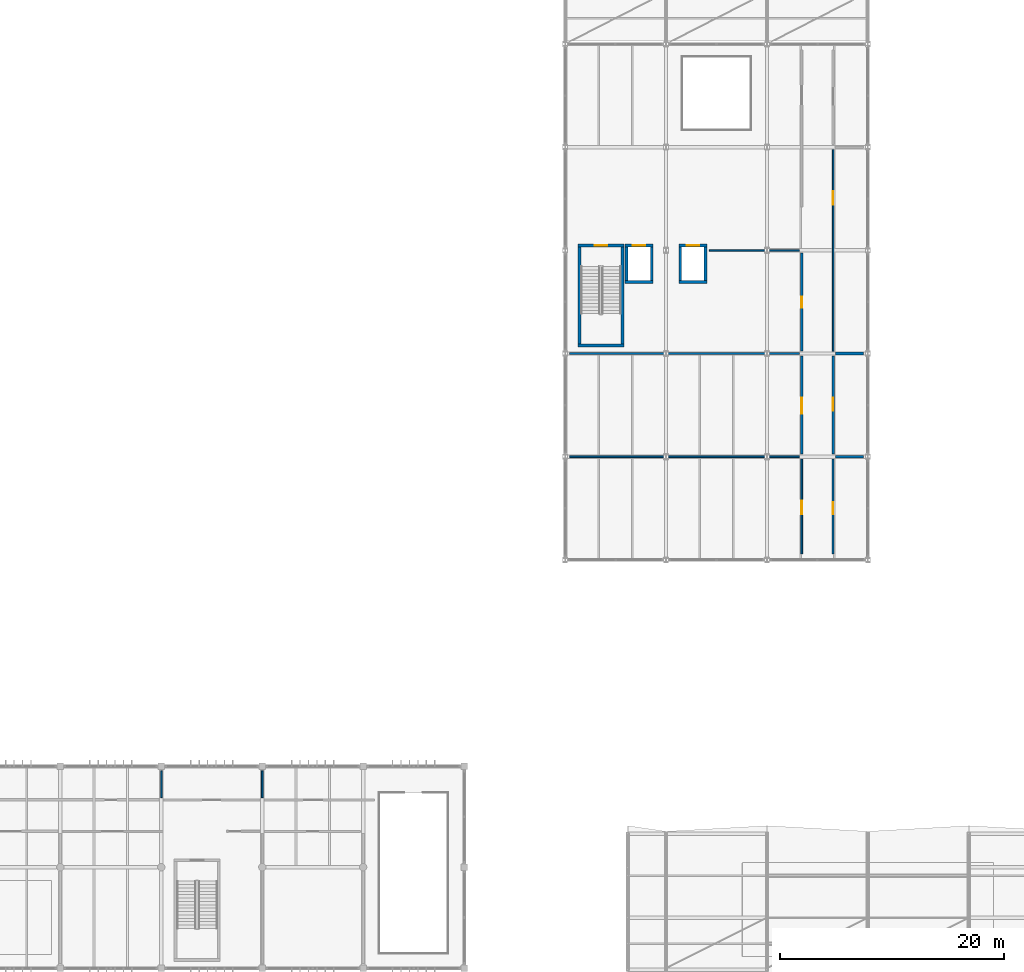
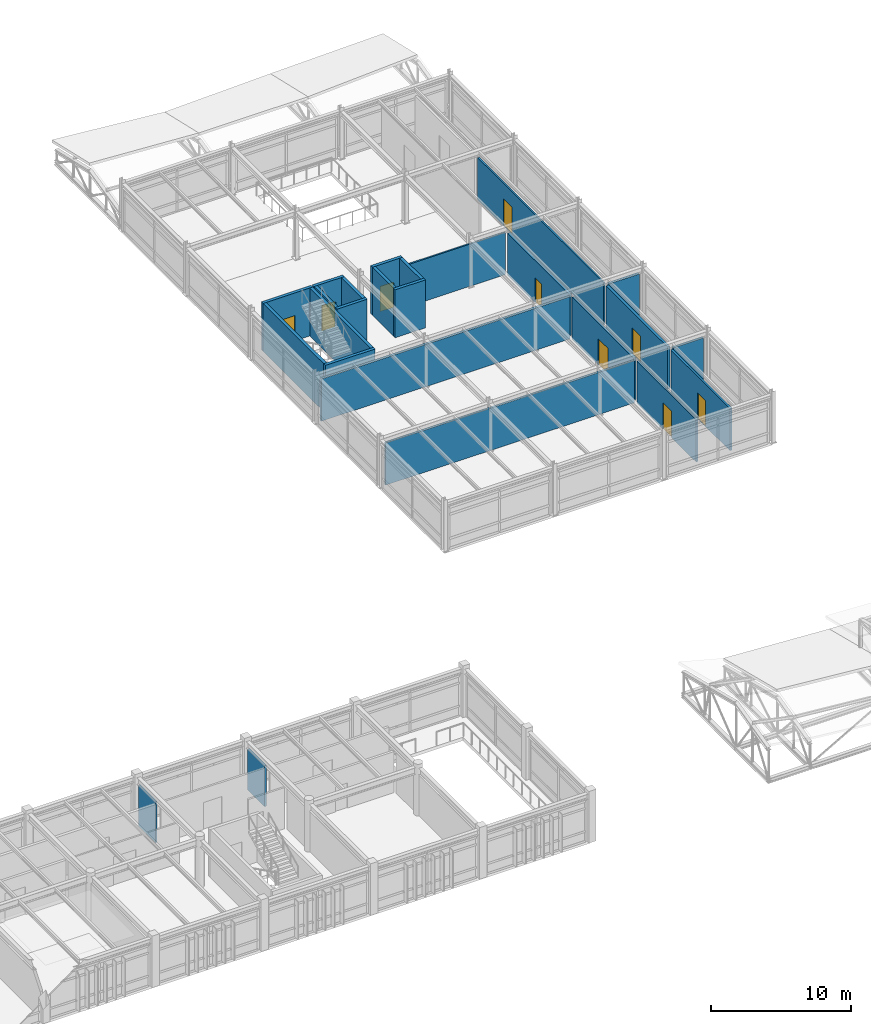
# One storey, part 42 of 55: 25 walls, 9 doors, 9 openings.
"""IFC4 building model written with IfcOpenShell, lengths in metres."""

from ifc_helpers import new_model, si_unit, direction, frame, frame_2d, origin, place, context, subcontext, project, spatial, rectangle, extrude, material, layer, layer_set, type_object, element, fill, save


model = new_model("IFC4")

# Units and contexts
model_context = context("Model", 3, precision=1e-05, world=origin(), true_north=direction((0.0, 1.0)))
body_context = subcontext(model_context, "Body", "Model", "MODEL_VIEW")
ifc_project = project(units=[si_unit("LENGTHUNIT", "METRE"), si_unit("AREAUNIT", "SQUARE_METRE"), si_unit("VOLUMEUNIT", "CUBIC_METRE"), si_unit("PLANEANGLEUNIT", "RADIAN"), si_unit("MASSUNIT", "GRAM", prefix="KILO")], contexts=[model_context])

# Site, building, storey
site_placement = place(None, origin())
site = spatial("IfcSite", under=ifc_project, at=site_placement, CompositionType="ELEMENT")
building_placement = place(site_placement, origin())
building = spatial("IfcBuilding", under=site, at=building_placement, Name="Bozkorgan Art Gallery", CompositionType="ELEMENT")
storey_placement = place(building_placement, frame((0.0, 0.0, 15.0)))
storey = spatial("IfcBuildingStorey", under=building, at=storey_placement, Name="L03", CompositionType="ELEMENT", Elevation=15.0)

# Wall, opening, door
ifc_material_1 = material(Name="Concrete C40/50", Category="concrete")
ifc_layer_1 = layer(ifc_material_1, 0.25, Name="Concrete C40/50")
ifc_layer_set_1 = layer_set([ifc_layer_1], Name="Concrete C40/50")
wall_type_1 = type_object("IfcWallType", Name="IWALL-CW-51", PredefinedType="SHEAR", material=ifc_layer_set_1)
wall_1_placement = place(storey_placement, frame((75.14990234375, 66.425048828125, 0.0), z_axis=(0.0, 0.0, 1.0), x_axis=(1.0, 0.0, 0.0)))
wall_1 = element("IfcWall", 1, at=wall_1_placement, inside=storey, type_object=wall_type_1, Name="CORE2 L03 stair core north shear wall", PredefinedType="SHEAR", context=body_context, shape_type="SweptSolid", body=[
    extrude(rectangle(XDim=4.10009765625, YDim=0.25, at=frame_2d((2.050048828125, 0.0))), origin(), (0.0, 0.0, 1.0), 4.179931640625),
])
opening_1_placement = place(wall_1_placement, frame((2.625, 0.0, 0.0), z_axis=(0.0, 0.0, 1.0), x_axis=(-1.0, 0.0, 0.0)))
opening_1 = element("IfcOpeningElement", 2, at=opening_1_placement, cuts=wall_1, Name="Opening SD-41", PredefinedType="OPENING", context=body_context, shape_type="SweptSolid", body=[
    extrude(rectangle(XDim=1.14990234375, YDim=2.199951171875, at=frame_2d((0.574951171875, 1.10009765625))), frame((0.0, 0.135009765625, 0.0), z_axis=(0.0, -1.0, 0.0), x_axis=(1.0, 0.0, 0.0)), (0.0, 0.0, 1.0), 0.27001953125),
])
ifc_material_2 = material(Name="Steel S355J2", Category="steel")
door_type_1 = type_object("IfcDoorType", Name="IDOOR-SD-41", OperationType="NOTDEFINED", PredefinedType="DOOR", material=ifc_material_2)
door_1_placement = place(opening_1_placement, origin())
door_1 = element("IfcDoor", 3, at=door_1_placement, inside=storey, type_object=door_type_1, Name="ST2 L03 Fire Stair Door", OperationType="SINGLE_SWING_LEFT", OverallHeight=2.199951171875, OverallWidth=1.14990234375, PredefinedType="DOOR", context=body_context, shape_type="SweptSolid", body=[
    extrude(rectangle(XDim=1.14990234375, YDim=2.199951171875, at=frame_2d((0.574951171875, 1.10009765625))), frame((0.0, 0.02490234375, 0.0), z_axis=(0.0, -1.0, 0.0), x_axis=(1.0, 0.0, 0.0)), (0.0, 0.0, 1.0), 0.050048828125),
])
fill(opening_1, door_1)

# Walls
wall_2_placement = place(storey_placement, frame((75.14990234375, 57.52490234375, 0.0), z_axis=(0.0, 0.0, 1.0), x_axis=(1.0, 0.0, 0.0)))
element("IfcWall", 4, at=wall_2_placement, inside=storey, type_object=wall_type_1, Name="CORE2 L03 stair core S shear wall", PredefinedType="SHEAR", context=body_context, shape_type="SweptSolid", body=[
    extrude(rectangle(XDim=4.10009765625, YDim=0.25, at=frame_2d((2.050048828125, 0.0))), origin(), (0.0, 0.0, 1.0), 4.179931640625),
])
for number, where, z_axis, x_axis, name in (
    (5, (75.27490234375, 57.64990234375, 0.0), (0.0, 0.0, 1.0), (0.0, 1.0, 0.0), "CORE2 L03 stair core W shear wall"),
    (6, (79.125, 57.64990234375, 0.0), (0.0, 0.0, 1.0), (0.0, 1.0, 0.0), "CORE2 L03 stair core E shear wall"),
):
    element("IfcWall", number, at=place(storey_placement, frame(where, z_axis=z_axis, x_axis=x_axis)), inside=storey, type_object=wall_type_1, Name=name, PredefinedType="SHEAR", context=body_context, shape_type="SweptSolid", body=[
        extrude(rectangle(XDim=8.650146484375, YDim=0.25, at=frame_2d((4.3251953125, 0.0))), origin(), (0.0, 0.0, 1.0), 4.179931640625),
    ])

# Wall, opening, door
wall_3_placement = place(storey_placement, frame((79.35009765625, 66.425048828125, 0.0), z_axis=(0.0, 0.0, 1.0), x_axis=(1.0, 0.0, 0.0)))
wall_3 = element("IfcWall", 7, at=wall_3_placement, inside=storey, type_object=wall_type_1, Name="PL2 L03 shaft front shear wall", PredefinedType="SHEAR", context=body_context, shape_type="SweptSolid", body=[
    extrude(rectangle(XDim=2.5, YDim=0.25, at=frame_2d((1.25, 0.0))), origin(), (0.0, 0.0, 1.0), 4.179931640625),
])
opening_2_placement = place(wall_3_placement, frame((0.699951171875, 0.0, 0.0)))
opening_2 = element("IfcOpeningElement", 8, at=opening_2_placement, cuts=wall_3, Name="Opening LD-25", PredefinedType="OPENING", context=body_context, shape_type="SweptSolid", body=[
    extrude(rectangle(XDim=1.10009765625, YDim=2.199951171875, at=frame_2d((0.550048828125, 1.10009765625))), frame((0.0, 0.135009765625, 0.0), z_axis=(0.0, -1.0, 0.0), x_axis=(1.0, 0.0, 0.0)), (0.0, 0.0, 1.0), 0.27001953125),
])
door_type_2 = type_object("IfcDoorType", Name="IDOOR-LD-25", OperationType="NOTDEFINED", PredefinedType="DOOR", material=ifc_material_2)
door_2_placement = place(opening_2_placement, origin())
door_2 = element("IfcDoor", 9, at=door_2_placement, inside=storey, type_object=door_type_2, Name="LD-PL2-L03 Lift Landing Door", OperationType="SLIDING_TO_LEFT", OverallHeight=2.199951171875, OverallWidth=1.10009765625, PredefinedType="DOOR", context=body_context, shape_type="SweptSolid", body=[
    extrude(rectangle(XDim=1.10009765625, YDim=2.199951171875, at=frame_2d((0.550048828125, 1.10009765625))), frame((0.0, 0.02490234375, 0.0), z_axis=(0.0, -1.0, 0.0), x_axis=(1.0, 0.0, 0.0)), (0.0, 0.0, 1.0), 0.050048828125),
])
fill(opening_2, door_2)

# Walls
wall_4_placement = place(storey_placement, frame((79.35009765625, 63.175048828125, 0.0), z_axis=(0.0, 0.0, 1.0), x_axis=(1.0, 0.0, 0.0)))
element("IfcWall", 10, at=wall_4_placement, inside=storey, type_object=wall_type_1, Name="PL2 L03 shaft S shear wall", PredefinedType="SHEAR", context=body_context, shape_type="SweptSolid", body=[
    extrude(rectangle(XDim=2.5, YDim=0.25, at=frame_2d((1.25, 0.0))), origin(), (0.0, 0.0, 1.0), 4.179931640625),
])
for number, where, z_axis, x_axis, name in (
    (11, (81.72509765625, 63.300048828125, 0.0), (0.0, 0.0, 1.0), (0.0, 1.0, 0.0), "PL2 L03 shaft E shear wall"),
    (12, (79.47509765625, 63.300048828125, 0.0), (0.0, 0.0, 1.0), (0.0, 1.0, 0.0), "PL2 L03 shaft W shear wall"),
):
    element("IfcWall", number, at=place(storey_placement, frame(where, z_axis=z_axis, x_axis=x_axis)), inside=storey, type_object=wall_type_1, Name=name, PredefinedType="SHEAR", context=body_context, shape_type="SweptSolid", body=[
        extrude(rectangle(XDim=3.0, YDim=0.25, at=frame_2d((1.5, 0.0))), origin(), (0.0, 0.0, 1.0), 4.179931640625),
    ])

# Wall, opening, door
wall_5_placement = place(storey_placement, frame((84.14990234375, 66.425048828125, 0.0), z_axis=(0.0, 0.0, 1.0), x_axis=(1.0, 0.0, 0.0)))
wall_5 = element("IfcWall", 13, at=wall_5_placement, inside=storey, type_object=wall_type_1, Name="PL3 L03 shaft front shear wall", PredefinedType="SHEAR", context=body_context, shape_type="SweptSolid", body=[
    extrude(rectangle(XDim=2.5, YDim=0.25, at=frame_2d((1.25, 0.0))), origin(), (0.0, 0.0, 1.0), 4.179931640625),
])
opening_3_placement = place(wall_5_placement, frame((0.699951171875, 0.0, 0.0)))
opening_3 = element("IfcOpeningElement", 14, at=opening_3_placement, cuts=wall_5, Name="Opening LD-75", PredefinedType="OPENING", context=body_context, shape_type="SweptSolid", body=[
    extrude(rectangle(XDim=1.10009765625, YDim=2.199951171875, at=frame_2d((0.550048828125, 1.10009765625))), frame((0.0, 0.135009765625, 0.0), z_axis=(0.0, -1.0, 0.0), x_axis=(1.0, 0.0, 0.0)), (0.0, 0.0, 1.0), 0.27001953125),
])
door_type_3 = type_object("IfcDoorType", Name="IDOOR-LD-75", OperationType="NOTDEFINED", PredefinedType="DOOR", material=ifc_material_2)
door_3_placement = place(opening_3_placement, origin())
door_3 = element("IfcDoor", 15, at=door_3_placement, inside=storey, type_object=door_type_3, Name="LD-PL3-L03 Lift Landing Door", OperationType="SLIDING_TO_RIGHT", OverallHeight=2.199951171875, OverallWidth=1.10009765625, PredefinedType="DOOR", context=body_context, shape_type="SweptSolid", body=[
    extrude(rectangle(XDim=1.10009765625, YDim=2.199951171875, at=frame_2d((0.550048828125, 1.10009765625))), frame((0.0, 0.02490234375, 0.0), z_axis=(0.0, -1.0, 0.0), x_axis=(1.0, 0.0, 0.0)), (0.0, 0.0, 1.0), 0.050048828125),
])
fill(opening_3, door_3)

# Walls
wall_6_placement = place(storey_placement, frame((84.14990234375, 63.175048828125, 0.0), z_axis=(0.0, 0.0, 1.0), x_axis=(1.0, 0.0, 0.0)))
element("IfcWall", 16, at=wall_6_placement, inside=storey, type_object=wall_type_1, Name="PL3 L03 shaft S shear wall", PredefinedType="SHEAR", context=body_context, shape_type="SweptSolid", body=[
    extrude(rectangle(XDim=2.5, YDim=0.25, at=frame_2d((1.25, 0.0))), origin(), (0.0, 0.0, 1.0), 4.179931640625),
])
for number, where, z_axis, x_axis, name in (
    (17, (86.52490234375, 63.300048828125, 0.0), (0.0, 0.0, 1.0), (0.0, 1.0, 0.0), "PL3 L03 shaft E shear wall"),
    (18, (84.27490234375, 63.300048828125, 0.0), (0.0, 0.0, 1.0), (0.0, 1.0, 0.0), "PL3 L03 shaft W shear wall"),
):
    element("IfcWall", number, at=place(storey_placement, frame(where, z_axis=z_axis, x_axis=x_axis)), inside=storey, type_object=wall_type_1, Name=name, PredefinedType="SHEAR", context=body_context, shape_type="SweptSolid", body=[
        extrude(rectangle(XDim=3.0, YDim=0.25, at=frame_2d((1.5, 0.0))), origin(), (0.0, 0.0, 1.0), 4.179931640625),
    ])

# Wall, opening, door
ifc_material_3 = material(Name="Acoustic Gypsum & Mineral Wool Partition")
ifc_layer_2 = layer(ifc_material_3, 0.22998046875, Name="Acoustic Gypsum & Mineral Wool Partition")
ifc_layer_set_2 = layer_set([ifc_layer_2], Name="Acoustic Gypsum & Mineral Wool Partition")
wall_type_2 = type_object("IfcWallType", Name="IWALL-PR-08", PredefinedType="PARTITIONING", material=ifc_layer_set_2)
wall_7_placement = place(storey_placement, frame((95.10009765625, 57.02001953125, 0.0), z_axis=(0.0, 0.0, 1.0), x_axis=(0.0, 1.0, 0.0)))
wall_7 = element("IfcWall", 19, at=wall_7_placement, inside=storey, type_object=wall_type_2, Name="V4 L03 acoustic partition wall 251", PredefinedType="PARTITIONING", context=body_context, shape_type="SweptSolid", body=[
    extrude(rectangle(XDim=8.760009765625, YDim=0.22998046875, at=frame_2d((4.3798828125, 0.0))), origin(), (0.0, 0.0, 1.0), 3.675048828125),
])
opening_4_placement = place(wall_7_placement, frame((4.85986328125, 0.0, 0.0), z_axis=(0.0, 0.0, 1.0), x_axis=(-1.0, 0.0, 0.0)))
opening_4 = element("IfcOpeningElement", 20, at=opening_4_placement, cuts=wall_7, Name="Opening FD-75", PredefinedType="OPENING", context=body_context, shape_type="SweptSolid", body=[
    extrude(rectangle(XDim=0.97998046875, YDim=2.179931640625, at=frame_2d((0.489990234375, 1.08984375))), frame((0.0, 0.125, 0.0), z_axis=(0.0, -1.0, 0.0), x_axis=(1.0, 0.0, 0.0)), (0.0, 0.0, 1.0), 0.25),
])
ifc_material_4 = material(Name="Oiled European Oak Joinery")
door_type_4 = type_object("IfcDoorType", Name="IDOOR-FD-75", OperationType="NOTDEFINED", PredefinedType="DOOR", material=ifc_material_4)
door_4_placement = place(opening_4_placement, origin())
door_4 = element("IfcDoor", 21, at=door_4_placement, inside=storey, type_object=door_type_4, Name="Archival Manuscript Room Door", OperationType="SINGLE_SWING_RIGHT", OverallHeight=2.179931640625, OverallWidth=0.97998046875, PredefinedType="DOOR", context=body_context, shape_type="SweptSolid", body=[
    extrude(rectangle(XDim=0.97998046875, YDim=2.179931640625, at=frame_2d((0.489990234375, 1.08984375))), frame((0.0, 0.02490234375, 0.0), z_axis=(0.0, -1.0, 0.0), x_axis=(1.0, 0.0, 0.0)), (0.0, 0.0, 1.0), 0.050048828125),
])
fill(opening_4, door_4)

ifc_layer_3 = layer(ifc_material_3, 0.2099609375, Name="Acoustic Gypsum & Mineral Wool Partition")
ifc_layer_set_3 = layer_set([ifc_layer_3], Name="Acoustic Gypsum & Mineral Wool Partition")
wall_type_3 = type_object("IfcWallType", Name="IWALL-PR-38", PredefinedType="PARTITIONING", material=ifc_layer_set_3)
wall_8_placement = place(storey_placement, frame((97.89990234375, 47.820068359375, 0.0), z_axis=(0.0, 0.0, 1.0), x_axis=(0.0, 1.0, 0.0)))
wall_8 = element("IfcWall", 22, at=wall_8_placement, inside=storey, type_object=wall_type_3, Name="V4 L03 acoustic partition wall 256", PredefinedType="PARTITIONING", context=body_context, shape_type="SweptSolid", body=[
    extrude(rectangle(XDim=8.760009765625, YDim=0.2099609375, at=frame_2d((4.3798828125, 0.0))), origin(), (0.0, 0.0, 1.0), 3.675048828125),
])
opening_5_placement = place(wall_8_placement, frame((3.8798828125, 0.0, 0.0)))
opening_5 = element("IfcOpeningElement", 23, at=opening_5_placement, cuts=wall_8, Name="Opening FD-03", PredefinedType="OPENING", context=body_context, shape_type="SweptSolid", body=[
    extrude(rectangle(XDim=1.159912109375, YDim=2.280029296875, at=frame_2d((0.580078125, 1.14013671875))), frame((0.0, 0.114990234375, 0.0), z_axis=(0.0, -1.0, 0.0), x_axis=(1.0, 0.0, 0.0)), (0.0, 0.0, 1.0), 0.22998046875),
])
door_type_5 = type_object("IfcDoorType", Name="IDOOR-FD-03", OperationType="NOTDEFINED", PredefinedType="DOOR", material=ifc_material_4)
door_5_placement = place(opening_5_placement, origin())
door_5 = element("IfcDoor", 24, at=door_5_placement, inside=storey, type_object=door_type_5, Name="Collection Archive Room Door", OperationType="SINGLE_SWING_LEFT", OverallHeight=2.280029296875, OverallWidth=1.159912109375, PredefinedType="DOOR", context=body_context, shape_type="SweptSolid", body=[
    extrude(rectangle(XDim=1.159912109375, YDim=2.280029296875, at=frame_2d((0.580078125, 1.14013671875))), frame((0.0, 0.02490234375, 0.0), z_axis=(0.0, -1.0, 0.0), x_axis=(1.0, 0.0, 0.0)), (0.0, 0.0, 1.0), 0.050048828125),
])
fill(opening_5, door_5)

ifc_layer_4 = layer(ifc_material_3, 0.169921875, Name="Acoustic Gypsum & Mineral Wool Partition")
ifc_layer_set_4 = layer_set([ifc_layer_4], Name="Acoustic Gypsum & Mineral Wool Partition")
wall_type_4 = type_object("IfcWallType", Name="IWALL-PR-40", PredefinedType="PARTITIONING", material=ifc_layer_set_4)
wall_9_placement = place(storey_placement, frame((97.89990234375, 38.93994140625, 0.0), z_axis=(0.0, 0.0, 1.0), x_axis=(0.0, 1.0, 0.0)))
wall_9 = element("IfcWall", 25, at=wall_9_placement, inside=storey, type_object=wall_type_4, Name="V4 L03 acoustic partition wall 254", PredefinedType="PARTITIONING", context=body_context, shape_type="SweptSolid", body=[
    extrude(rectangle(XDim=8.43994140625, YDim=0.169921875, at=frame_2d((4.219970703125, 0.0))), origin(), (0.0, 0.0, 1.0), 3.675048828125),
])
opening_6_placement = place(wall_9_placement, frame((3.518798828125, 0.0, 0.0)))
opening_6 = element("IfcOpeningElement", 26, at=opening_6_placement, cuts=wall_9, Name="Opening FD-44", PredefinedType="OPENING", context=body_context, shape_type="SweptSolid", body=[
    extrude(rectangle(XDim=1.080078125, YDim=2.239990234375, at=frame_2d((0.5400390625, 1.1201171875))), frame((0.0, 0.094970703125, 0.0), z_axis=(0.0, -1.0, 0.0), x_axis=(1.0, 0.0, 0.0)), (0.0, 0.0, 1.0), 0.18994140625),
])
door_type_6 = type_object("IfcDoorType", Name="IDOOR-FD-44", OperationType="NOTDEFINED", PredefinedType="DOOR", material=ifc_material_4)
door_6_placement = place(opening_6_placement, origin())
door_6 = element("IfcDoor", 27, at=door_6_placement, inside=storey, type_object=door_type_6, Name="Librarian Cataloguing Office Door", OperationType="SINGLE_SWING_RIGHT", OverallHeight=2.239990234375, OverallWidth=1.080078125, PredefinedType="DOOR", context=body_context, shape_type="SweptSolid", body=[
    extrude(rectangle(XDim=1.080078125, YDim=2.239990234375, at=frame_2d((0.5400390625, 1.1201171875))), frame((0.0, 0.02490234375, 0.0), z_axis=(0.0, -1.0, 0.0), x_axis=(1.0, 0.0, 0.0)), (0.0, 0.0, 1.0), 0.050048828125),
])
fill(opening_6, door_6)

ifc_layer_5 = layer(ifc_material_3, 0.14990234375, Name="Acoustic Gypsum & Mineral Wool Partition")
ifc_layer_set_5 = layer_set([ifc_layer_5], Name="Acoustic Gypsum & Mineral Wool Partition")
wall_type_5 = type_object("IfcWallType", Name="IWALL-PR-55", PredefinedType="PARTITIONING", material=ifc_layer_set_5)
wall_10_placement = place(storey_placement, frame((95.10009765625, 38.93994140625, 0.0), z_axis=(0.0, 0.0, 1.0), x_axis=(0.0, 1.0, 0.0)))
wall_10 = element("IfcWall", 28, at=wall_10_placement, inside=storey, type_object=wall_type_5, Name="V4 L03 acoustic partition wall 247", PredefinedType="PARTITIONING", context=body_context, shape_type="SweptSolid", body=[
    extrude(rectangle(XDim=8.43994140625, YDim=0.14990234375, at=frame_2d((4.219970703125, 0.0))), origin(), (0.0, 0.0, 1.0), 3.675048828125),
])
opening_7_placement = place(wall_10_placement, frame((4.71875, 0.0, 0.0), z_axis=(0.0, 0.0, 1.0), x_axis=(-1.0, 0.0, 0.0)))
opening_7 = element("IfcOpeningElement", 29, at=opening_7_placement, cuts=wall_10, Name="Opening FD-05", PredefinedType="OPENING", context=body_context, shape_type="SweptSolid", body=[
    extrude(rectangle(XDim=1.199951171875, YDim=2.300048828125, at=frame_2d((0.60009765625, 1.14990234375))), frame((0.0, 0.0849609375, 0.0), z_axis=(0.0, -1.0, 0.0), x_axis=(1.0, 0.0, 0.0)), (0.0, 0.0, 1.0), 0.169921875),
])
door_type_7 = type_object("IfcDoorType", Name="IDOOR-FD-05", OperationType="NOTDEFINED", PredefinedType="DOOR", material=ifc_material_4)
door_7_placement = place(opening_7_placement, origin())
door_7 = element("IfcDoor", 30, at=door_7_placement, inside=storey, type_object=door_type_7, Name="Art Research Library Door", OperationType="SINGLE_SWING_RIGHT", OverallHeight=2.300048828125, OverallWidth=1.199951171875, PredefinedType="DOOR", context=body_context, shape_type="SweptSolid", body=[
    extrude(rectangle(XDim=1.199951171875, YDim=2.300048828125, at=frame_2d((0.60009765625, 1.14990234375))), frame((0.0, 0.02490234375, 0.0), z_axis=(0.0, -1.0, 0.0), x_axis=(1.0, 0.0, 0.0)), (0.0, 0.0, 1.0), 0.050048828125),
])
fill(opening_7, door_7)

ifc_layer_6 = layer(ifc_material_3, 0.18994140625, Name="Acoustic Gypsum & Mineral Wool Partition")
ifc_layer_set_6 = layer_set([ifc_layer_6], Name="Acoustic Gypsum & Mineral Wool Partition")
wall_type_6 = type_object("IfcWallType", Name="IWALL-PR-66", PredefinedType="PARTITIONING", material=ifc_layer_set_6)
wall_11_placement = place(storey_placement, frame((95.10009765625, 47.820068359375, 0.0), z_axis=(0.0, 0.0, 1.0), x_axis=(0.0, 1.0, 0.0)))
wall_11 = element("IfcWall", 31, at=wall_11_placement, inside=storey, type_object=wall_type_6, Name="V4 L03 acoustic partition wall 249", PredefinedType="PARTITIONING", context=body_context, shape_type="SweptSolid", body=[
    extrude(rectangle(XDim=8.760009765625, YDim=0.18994140625, at=frame_2d((4.3798828125, 0.0))), origin(), (0.0, 0.0, 1.0), 3.675048828125),
])
opening_8_placement = place(wall_11_placement, frame((5.0498046875, 0.0, 0.0), z_axis=(0.0, 0.0, 1.0), x_axis=(-1.0, 0.0, 0.0)))
opening_8 = element("IfcOpeningElement", 32, at=opening_8_placement, cuts=wall_11, Name="Opening GD-50", PredefinedType="OPENING", context=body_context, shape_type="SweptSolid", body=[
    extrude(rectangle(XDim=1.419921875, YDim=2.300048828125, at=frame_2d((0.7099609375, 1.14990234375))), frame((0.0, 0.10498046875, 0.0), z_axis=(0.0, -1.0, 0.0), x_axis=(1.0, 0.0, 0.0)), (0.0, 0.0, 1.0), 0.2099609375),
])
door_type_8 = type_object("IfcDoorType", Name="IDOOR-GD-50", OperationType="NOTDEFINED", PredefinedType="DOOR", material=ifc_material_4)
door_8_placement = place(opening_8_placement, origin())
door_8 = element("IfcDoor", 33, at=door_8_placement, inside=storey, type_object=door_type_8, Name="Periodical Reading Hall Door", OperationType="DOUBLE_DOOR_SINGLE_SWING", OverallHeight=2.300048828125, OverallWidth=1.419921875, PredefinedType="DOOR", context=body_context, shape_type="SweptSolid", body=[
    extrude(rectangle(XDim=1.419921875, YDim=2.300048828125, at=frame_2d((0.7099609375, 1.14990234375))), frame((0.0, 0.02490234375, 0.0), z_axis=(0.0, -1.0, 0.0), x_axis=(1.0, 0.0, 0.0)), (0.0, 0.0, 1.0), 0.050048828125),
])
fill(opening_8, door_8)

ifc_layer_7 = layer(ifc_material_3, 0.1298828125, Name="Acoustic Gypsum & Mineral Wool Partition")
ifc_layer_set_7 = layer_set([ifc_layer_7], Name="Acoustic Gypsum & Mineral Wool Partition")
wall_type_7 = type_object("IfcWallType", Name="IWALL-PR-76", PredefinedType="PARTITIONING", material=ifc_layer_set_7)
wall_12_placement = place(storey_placement, frame((97.89990234375, 57.02001953125, 0.0), z_axis=(0.0, 0.0, 1.0), x_axis=(0.0, 1.0, 0.0)))
wall_12 = element("IfcWall", 34, at=wall_12_placement, inside=storey, type_object=wall_type_7, Name="V4 L03 acoustic partition wall 258", PredefinedType="PARTITIONING", context=body_context, shape_type="SweptSolid", body=[
    extrude(rectangle(XDim=17.9599609375, YDim=0.1298828125, at=frame_2d((8.97998046875, 0.0))), origin(), (0.0, 0.0, 1.0), 3.675048828125),
])
opening_9_placement = place(wall_12_placement, frame((13.0244140625, 0.0, 0.0)))
opening_9 = element("IfcOpeningElement", 35, at=opening_9_placement, cuts=wall_12, Name="Opening FD-40", PredefinedType="OPENING", context=body_context, shape_type="SweptSolid", body=[
    extrude(rectangle(XDim=1.239990234375, YDim=2.320068359375, at=frame_2d((0.6201171875, 1.16015625))), frame((0.0, 0.074951171875, 0.0), z_axis=(0.0, -1.0, 0.0), x_axis=(1.0, 0.0, 0.0)), (0.0, 0.0, 1.0), 0.14990234375),
])
door_type_9 = type_object("IfcDoorType", Name="IDOOR-FD-40", OperationType="NOTDEFINED", PredefinedType="DOOR", material=ifc_material_4)
door_9_placement = place(opening_9_placement, origin())
door_9 = element("IfcDoor", 36, at=door_9_placement, inside=storey, type_object=door_type_9, Name="Art Research Library Door", OperationType="SINGLE_SWING_RIGHT", OverallHeight=2.320068359375, OverallWidth=1.239990234375, PredefinedType="DOOR", context=body_context, shape_type="SweptSolid", body=[
    extrude(rectangle(XDim=1.239990234375, YDim=2.320068359375, at=frame_2d((0.6201171875, 1.16015625))), frame((0.0, 0.02490234375, 0.0), z_axis=(0.0, -1.0, 0.0), x_axis=(1.0, 0.0, 0.0)), (0.0, 0.0, 1.0), 0.050048828125),
])
fill(opening_9, door_9)

# Walls
ifc_layer_8 = layer(ifc_material_3, 0.169921875, Name="Acoustic Gypsum & Mineral Wool Partition")
ifc_layer_set_8 = layer_set([ifc_layer_8], Name="Acoustic Gypsum & Mineral Wool Partition")
wall_type_8 = type_object("IfcWallType", Name="IWALL-PW-02", PredefinedType="PARTITIONING", material=ifc_layer_set_8)
wall_13_placement = place(storey_placement, frame((47.0, 17.199951171875, 0.0), z_axis=(0.0, 0.0, 1.0), x_axis=(0.0, 1.0, 0.0)))
element("IfcWall", 37, at=wall_13_placement, inside=storey, type_object=wall_type_8, Name="V1 L03 acoustic partition wall 92", PredefinedType="PARTITIONING", context=body_context, shape_type="SweptSolid", body=[
    extrude(rectangle(XDim=2.400146484375, YDim=0.169921875, at=frame_2d((1.2001953125, 0.0))), origin(), (0.0, 0.0, 1.0), 3.574951171875),
])
wall_14_placement = place(storey_placement, frame((74.39990234375, 47.60009765625, 0.0), z_axis=(0.0, 0.0, 1.0), x_axis=(1.0, 0.0, 0.0)))
element("IfcWall", 38, at=wall_14_placement, inside=storey, type_object=wall_type_8, Name="V4 L03 acoustic partition wall 248", PredefinedType="PARTITIONING", context=body_context, shape_type="SweptSolid", body=[
    extrude(rectangle(XDim=20.5, YDim=0.169921875, at=frame_2d((10.25, 0.0))), origin(), (0.0, 0.0, 1.0), 3.675048828125),
])
ifc_layer_9 = layer(ifc_material_3, 0.18994140625, Name="Acoustic Gypsum & Mineral Wool Partition")
ifc_layer_set_9 = layer_set([ifc_layer_9], Name="Acoustic Gypsum & Mineral Wool Partition")
wall_type_9 = type_object("IfcWallType", Name="IWALL-PW-23", PredefinedType="PARTITIONING", material=ifc_layer_set_9)
wall_15_placement = place(storey_placement, frame((98.10009765625, 47.60009765625, 0.0), z_axis=(0.0, 0.0, 1.0), x_axis=(1.0, 0.0, 0.0)))
element("IfcWall", 39, at=wall_15_placement, inside=storey, type_object=wall_type_9, Name="V4 L03 acoustic partition wall 255", PredefinedType="PARTITIONING", context=body_context, shape_type="SweptSolid", body=[
    extrude(rectangle(XDim=2.5, YDim=0.18994140625, at=frame_2d((1.25, 0.0))), origin(), (0.0, 0.0, 1.0), 3.675048828125),
])
ifc_layer_10 = layer(ifc_material_3, 0.2099609375, Name="Acoustic Gypsum & Mineral Wool Partition")
ifc_layer_set_10 = layer_set([ifc_layer_10], Name="Acoustic Gypsum & Mineral Wool Partition")
wall_type_10 = type_object("IfcWallType", Name="IWALL-PW-72", PredefinedType="PARTITIONING", material=ifc_layer_set_10)
wall_16_placement = place(storey_placement, frame((74.39990234375, 56.800048828125, 0.0), z_axis=(0.0, 0.0, 1.0), x_axis=(1.0, 0.0, 0.0)))
element("IfcWall", 40, at=wall_16_placement, inside=storey, type_object=wall_type_10, Name="V4 L03 acoustic partition wall 250", PredefinedType="PARTITIONING", context=body_context, shape_type="SweptSolid", body=[
    extrude(rectangle(XDim=20.5, YDim=0.2099609375, at=frame_2d((10.25, 0.0))), origin(), (0.0, 0.0, 1.0), 3.675048828125),
])
ifc_layer_11 = layer(ifc_material_3, 0.22998046875, Name="Acoustic Gypsum & Mineral Wool Partition")
ifc_layer_set_11 = layer_set([ifc_layer_11], Name="Acoustic Gypsum & Mineral Wool Partition")
wall_type_11 = type_object("IfcWallType", Name="IWALL-PW-96", PredefinedType="PARTITIONING", material=ifc_layer_set_11)
wall_17_placement = place(storey_placement, frame((98.10009765625, 56.800048828125, 0.0), z_axis=(0.0, 0.0, 1.0), x_axis=(1.0, 0.0, 0.0)))
element("IfcWall", 41, at=wall_17_placement, inside=storey, type_object=wall_type_11, Name="V4 L03 acoustic partition wall 257", PredefinedType="PARTITIONING", context=body_context, shape_type="SweptSolid", body=[
    extrude(rectangle(XDim=2.5, YDim=0.22998046875, at=frame_2d((1.25, 0.0))), origin(), (0.0, 0.0, 1.0), 3.675048828125),
])
ifc_layer_12 = layer(ifc_material_3, 0.1298828125, Name="Acoustic Gypsum & Mineral Wool Partition")
ifc_layer_set_12 = layer_set([ifc_layer_12], Name="Acoustic Gypsum & Mineral Wool Partition")
wall_type_12 = type_object("IfcWallType", Name="IWALL-PW-97", PredefinedType="PARTITIONING", material=ifc_layer_set_12)
wall_18_placement = place(storey_placement, frame((38.0, 17.199951171875, 0.0), z_axis=(0.0, 0.0, 1.0), x_axis=(0.0, 1.0, 0.0)))
element("IfcWall", 42, at=wall_18_placement, inside=storey, type_object=wall_type_12, Name="V1 L03 acoustic partition wall 90", PredefinedType="PARTITIONING", context=body_context, shape_type="SweptSolid", body=[
    extrude(rectangle(XDim=2.400146484375, YDim=0.1298828125, at=frame_2d((1.2001953125, 0.0))), origin(), (0.0, 0.0, 1.0), 3.574951171875),
])
wall_19_placement = place(storey_placement, frame((86.860107421875, 66.0, 0.0), z_axis=(0.0, 0.0, 1.0), x_axis=(1.0, 0.0, 0.0)))
element("IfcWall", 43, at=wall_19_placement, inside=storey, type_object=wall_type_12, Name="V4 L03 acoustic partition wall 252", PredefinedType="PARTITIONING", context=body_context, shape_type="SweptSolid", body=[
    extrude(rectangle(XDim=8.039794921875, YDim=0.1298828125, at=frame_2d((4.02001953125, 0.0))), origin(), (0.0, 0.0, 1.0), 3.675048828125),
])

save(model, "model.ifc")
